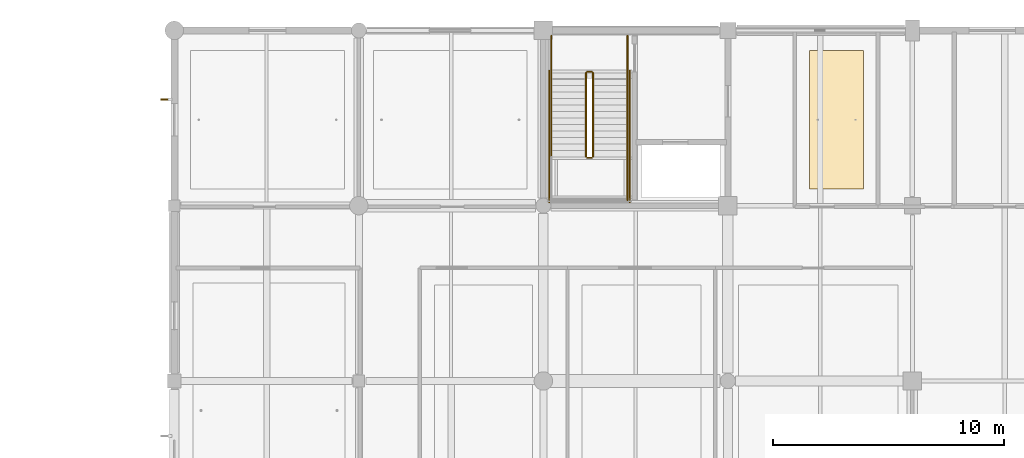
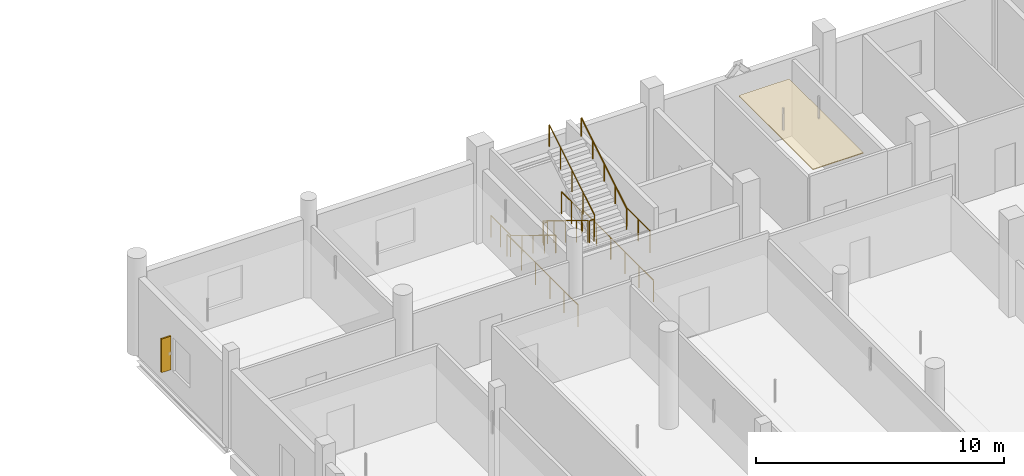
# One storey, part 146 of 147: 11 railings, 1 covering, 1 shading device.
"""IFC4 building model written with IfcOpenShell, lengths in metres."""

from ifc_helpers import new_model, si_unit, direction, frame, origin, origin_2d, place, context, subcontext, project, spatial, polyline, rectangle, circle, outline, extrude, material, layer, layer_set, type_object, element, save


model = new_model("IFC4")

# Units and contexts
model_context = context("Model", 3, precision=1e-05, world=origin(), true_north=direction((0.0, 1.0)))
body_context = subcontext(model_context, "Body", "Model", "MODEL_VIEW")
ifc_project = project(units=[si_unit("LENGTHUNIT", "METRE"), si_unit("AREAUNIT", "SQUARE_METRE"), si_unit("VOLUMEUNIT", "CUBIC_METRE"), si_unit("PLANEANGLEUNIT", "RADIAN"), si_unit("MASSUNIT", "GRAM", prefix="KILO")], contexts=[model_context])

# Site, building, storey
site_placement = place(None, origin())
site = spatial("IfcSite", under=ifc_project, at=site_placement, CompositionType="ELEMENT")
building_placement = place(site_placement, origin())
building = spatial("IfcBuilding", under=site, at=building_placement, Name="Khelvaren Railside Concert Hall", CompositionType="ELEMENT")
storey_placement = place(building_placement, frame((0.0, 0.0, 5.39990234375)))
storey = spatial("IfcBuildingStorey", under=building, at=storey_placement, Name="L01", CompositionType="ELEMENT", Elevation=5.39990234375)

# Covering
ifc_material_1 = material(Name="Mineral-wool acoustic baffle ceiling", Category="gypsum")
ifc_layer = layer(ifc_material_1, 0.0400390625)
ifc_layer_set = layer_set([ifc_layer], Name="Mineral-wool acoustic baffle ceiling")
covering_type = type_object("IfcCoveringType", Name="CLG20", PredefinedType="CEILING", material=ifc_layer_set)
covering_placement = place(storey_placement, frame((0.0, 0.0, 3.41015625)))
element("IfcCovering", 1, at=covering_placement, inside=storey, type_object=covering_type, Name="Suspended Acoustic Ceiling Backstage Linen Store L01", PredefinedType="CEILING", context=body_context, shape_type="SweptSolid", body=[
    extrude(outline(polyline([(155.530029296875, 107.1298828125), (157.8759765625, 107.1298828125), (157.8759765625, 113.1201171875), (155.530029296875, 113.1201171875), (155.530029296875, 107.1298828125)])), origin(), (0.0, 0.0, 1.0), 0.0400390625),
])

# Railings
ifc_material_2 = material(Name="Painted architectural steel", Category="steel")
railing_type_1 = type_object("IfcRailingType", Name="GRD86", PredefinedType="GUARDRAIL", material=ifc_material_2)
railing_1_placement = place(storey_placement, frame((145.85009765625, 112.159912109375, 0.171630859375)))
element("IfcRailing", 2, at=railing_1_placement, inside=storey, type_object=railing_type_1, Name="L01 ST-09 stair guard 1", PredefinedType="GUARDRAIL", context=body_context, shape_type="SweptSolid", body=[
    extrude(circle(Radius=0.02392578125, at=origin_2d()), frame((0.0, 0.0, 1.076171875), z_axis=(0.0, -0.852850264322, 0.5221555579), x_axis=(1.0, 0.0, 0.0)), (0.0, 0.0, 1.0), 4.267822265625),
    extrude(circle(Radius=0.02099609375, at=origin_2d()), origin(), (0.0, 0.0, 1.0), 1.052001953125),
    extrude(circle(Radius=0.02099609375, at=origin_2d()), frame((0.0, -0.909912109375, 0.55712890625)), (0.0, 0.0, 1.0), 1.052001953125),
    extrude(circle(Radius=0.02099609375, at=origin_2d()), frame((0.0, -1.81982421875, 1.1142578125)), (0.0, 0.0, 1.0), 1.052001953125),
    extrude(circle(Radius=0.02099609375, at=origin_2d()), frame((0.0, -2.72998046875, 1.67138671875)), (0.0, 0.0, 1.0), 1.052001953125),
    extrude(circle(Radius=0.02099609375, at=origin_2d()), frame((0.0, -3.639892578125, 2.228515625)), (0.0, 0.0, 1.0), 1.052001953125),
])
railing_2_placement = place(storey_placement, frame((145.89990234375, 108.469970703125, 2.400146484375)))
element("IfcRailing", 3, at=railing_2_placement, inside=storey, type_object=railing_type_1, Name="L01 ST-09 stair guard 2", PredefinedType="GUARDRAIL", context=body_context, shape_type="SweptSolid", body=[
    extrude(circle(Radius=0.02392578125, at=origin_2d()), frame((0.0, 0.0, 1.076171875), z_axis=(1.0, 0.0, 0.0), x_axis=(0.0, 1.0, 0.0)), (0.0, 0.0, 1.0), 0.2001953125),
    extrude(circle(Radius=0.02099609375, at=origin_2d()), origin(), (0.0, 0.0, 1.0), 1.052001953125),
    extrude(circle(Radius=0.02099609375, at=origin_2d()), frame((0.2001953125, 0.0, 0.0)), (0.0, 0.0, 1.0), 1.052001953125),
])
railing_3_placement = place(storey_placement, frame((147.64990234375, 108.52001953125, 2.400146484375)))
element("IfcRailing", 4, at=railing_3_placement, inside=storey, type_object=railing_type_1, Name="L01 ST-09 stair guard 4", PredefinedType="GUARDRAIL", context=body_context, shape_type="SweptSolid", body=[
    extrude(circle(Radius=0.02392578125, at=origin_2d()), frame((0.0, 0.0, 1.076171875), z_axis=(0.0, -1.0, 0.0), x_axis=(1.0, 0.0, 0.0)), (0.0, 0.0, 1.0), 1.880126953125),
    extrude(circle(Radius=0.02099609375, at=origin_2d()), origin(), (0.0, 0.0, 1.0), 1.052001953125),
    extrude(circle(Radius=0.02099609375, at=origin_2d()), frame((0.0, -0.93994140625, 0.0)), (0.0, 0.0, 1.0), 1.052001953125),
    extrude(circle(Radius=0.02099609375, at=origin_2d()), frame((0.0, -1.880126953125, 0.0)), (0.0, 0.0, 1.0), 1.052001953125),
])
railing_4_placement = place(storey_placement, frame((146.14990234375, 108.52001953125, 2.571533203125)))
element("IfcRailing", 5, at=railing_4_placement, inside=storey, type_object=railing_type_1, Name="L01 ST-09 stair guard 6", PredefinedType="GUARDRAIL", context=body_context, shape_type="SweptSolid", body=[
    extrude(circle(Radius=0.02392578125, at=origin_2d()), frame((0.0, 0.0, 1.076171875), z_axis=(0.0, 0.852850264322, 0.5221555579), x_axis=(-1.0, 0.0, 0.0)), (0.0, 0.0, 1.0), 4.267822265625),
    extrude(circle(Radius=0.02099609375, at=origin_2d()), origin(), (0.0, 0.0, 1.0), 1.052001953125),
    extrude(circle(Radius=0.02099609375, at=origin_2d()), frame((0.0, 0.909912109375, 0.55712890625)), (0.0, 0.0, 1.0), 1.052001953125),
    extrude(circle(Radius=0.02099609375, at=origin_2d()), frame((0.0, 1.81982421875, 1.1142578125)), (0.0, 0.0, 1.0), 1.052001953125),
    extrude(circle(Radius=0.02099609375, at=origin_2d()), frame((0.0, 2.72998046875, 1.67138671875)), (0.0, 0.0, 1.0), 1.052001953125),
    extrude(circle(Radius=0.02099609375, at=origin_2d()), frame((0.0, 3.639892578125, 2.228515625)), (0.0, 0.0, 1.0), 1.052001953125),
])
railing_5_placement = place(storey_placement, frame((145.89990234375, 112.2099609375, 0.0)))
element("IfcRailing", 6, at=railing_5_placement, inside=storey, type_object=railing_type_1, Name="L01 ST-09 stair guard 7", PredefinedType="GUARDRAIL", context=body_context, shape_type="SweptSolid", body=[
    extrude(circle(Radius=0.02392578125, at=origin_2d()), frame((0.0, 0.0, 1.076171875), z_axis=(1.0, 0.0, 0.0), x_axis=(0.0, 1.0, 0.0)), (0.0, 0.0, 1.0), 0.2001953125),
    extrude(circle(Radius=0.02099609375, at=origin_2d()), origin(), (0.0, 0.0, 1.0), 1.052001953125),
    extrude(circle(Radius=0.02099609375, at=origin_2d()), frame((0.2001953125, 0.0, 0.0)), (0.0, 0.0, 1.0), 1.052001953125),
])
for number, where, name in (
    (7, (144.35009765625, 113.760009765625, 0.0), "L01 ST-09 stair guard 8"),
    (8, (147.64990234375, 113.760009765625, 0.0), "L01 ST-09 stair guard 9"),
):
    element("IfcRailing", number, at=place(storey_placement, frame(where)), inside=storey, type_object=railing_type_1, Name=name, PredefinedType="GUARDRAIL", context=body_context, shape_type="SweptSolid", body=[
        extrude(circle(Radius=0.02392578125, at=origin_2d()), frame((0.0, 0.0, 1.076171875), z_axis=(0.0, -1.0, 0.0), x_axis=(1.0, 0.0, 0.0)), (0.0, 0.0, 1.0), 1.60009765625),
        extrude(circle(Radius=0.02099609375, at=origin_2d()), origin(), (0.0, 0.0, 1.0), 1.052001953125),
        extrude(circle(Radius=0.02099609375, at=origin_2d()), frame((0.0, -0.800048828125, 0.0)), (0.0, 0.0, 1.0), 1.052001953125),
        extrude(circle(Radius=0.02099609375, at=origin_2d()), frame((0.0, -1.60009765625, 0.0)), (0.0, 0.0, 1.0), 1.052001953125),
    ])
for number, where, name in (
    (9, (144.25, 112.260009765625, 0.0), "L01 ST-09 stair guard 10"),
    (10, (147.75, 112.260009765625, 0.0), "L01 ST-09 stair guard 11"),
):
    element("IfcRailing", number, at=place(storey_placement, frame(where)), inside=storey, type_object=railing_type_1, Name=name, PredefinedType="GUARDRAIL", context=body_context, shape_type="SweptSolid", body=[
        extrude(circle(Radius=0.02392578125, at=origin_2d()), frame((0.0, 0.0, 1.076171875), z_axis=(0.0, -1.0, 0.0), x_axis=(1.0, 0.0, 0.0)), (0.0, 0.0, 1.0), 5.719970703125),
        extrude(circle(Radius=0.02099609375, at=origin_2d()), origin(), (0.0, 0.0, 1.0), 1.052001953125),
        extrude(circle(Radius=0.02099609375, at=origin_2d()), frame((0.0, -1.14404296875, 0.0)), (0.0, 0.0, 1.0), 1.052001953125),
        extrude(circle(Radius=0.02099609375, at=origin_2d()), frame((0.0, -2.2880859375, 0.0)), (0.0, 0.0, 1.0), 1.052001953125),
        extrude(circle(Radius=0.02099609375, at=origin_2d()), frame((0.0, -3.431884765625, 0.0)), (0.0, 0.0, 1.0), 1.052001953125),
        extrude(circle(Radius=0.02099609375, at=origin_2d()), frame((0.0, -4.575927734375, 0.0)), (0.0, 0.0, 1.0), 1.052001953125),
        extrude(circle(Radius=0.02099609375, at=origin_2d()), frame((0.0, -5.719970703125, 0.0)), (0.0, 0.0, 1.0), 1.052001953125),
    ])
ifc_material_3 = material(Name="Brushed stainless steel Grade 316", Category="steel")
railing_type_2 = type_object("IfcRailingType", Name="HRL59", PredefinedType="HANDRAIL", material=ifc_material_3)
railing_6_placement = place(storey_placement, frame((144.35009765625, 112.159912109375, 0.171630859375)))
element("IfcRailing", 11, at=railing_6_placement, inside=storey, type_object=railing_type_2, Name="L01 ST-09 stair handrail 1", PredefinedType="HANDRAIL", context=body_context, shape_type="SweptSolid", body=[
    extrude(circle(Radius=0.02392578125, at=origin_2d()), frame((0.0, 0.0, 0.8759765625), z_axis=(0.0, -0.852850264322, 0.5221555579), x_axis=(1.0, 0.0, 0.0)), (0.0, 0.0, 1.0), 4.267822265625),
    extrude(circle(Radius=0.02099609375, at=origin_2d()), origin(), (0.0, 0.0, 1.0), 0.851806640625),
    extrude(circle(Radius=0.02099609375, at=origin_2d()), frame((0.0, -0.909912109375, 0.55712890625)), (0.0, 0.0, 1.0), 0.851806640625),
    extrude(circle(Radius=0.02099609375, at=origin_2d()), frame((0.0, -1.81982421875, 1.1142578125)), (0.0, 0.0, 1.0), 0.851806640625),
    extrude(circle(Radius=0.02099609375, at=origin_2d()), frame((0.0, -2.72998046875, 1.67138671875)), (0.0, 0.0, 1.0), 0.851806640625),
    extrude(circle(Radius=0.02099609375, at=origin_2d()), frame((0.0, -3.639892578125, 2.228515625)), (0.0, 0.0, 1.0), 0.851806640625),
])
railing_7_placement = place(storey_placement, frame((147.64990234375, 108.52001953125, 2.571533203125)))
element("IfcRailing", 12, at=railing_7_placement, inside=storey, type_object=railing_type_2, Name="L01 ST-09 stair handrail 2", PredefinedType="HANDRAIL", context=body_context, shape_type="SweptSolid", body=[
    extrude(circle(Radius=0.02392578125, at=origin_2d()), frame((0.0, 0.0, 0.8759765625), z_axis=(0.0, 0.852850264322, 0.5221555579), x_axis=(-1.0, 0.0, 0.0)), (0.0, 0.0, 1.0), 4.267822265625),
    extrude(circle(Radius=0.02099609375, at=origin_2d()), origin(), (0.0, 0.0, 1.0), 0.851806640625),
    extrude(circle(Radius=0.02099609375, at=origin_2d()), frame((0.0, 0.909912109375, 0.55712890625)), (0.0, 0.0, 1.0), 0.851806640625),
    extrude(circle(Radius=0.02099609375, at=origin_2d()), frame((0.0, 1.81982421875, 1.1142578125)), (0.0, 0.0, 1.0), 0.851806640625),
    extrude(circle(Radius=0.02099609375, at=origin_2d()), frame((0.0, 2.72998046875, 1.67138671875)), (0.0, 0.0, 1.0), 0.851806640625),
    extrude(circle(Radius=0.02099609375, at=origin_2d()), frame((0.0, 3.639892578125, 2.228515625)), (0.0, 0.0, 1.0), 0.851806640625),
])

# Shading device
ifc_material_4 = material(Name="Anodised bronze aluminium 6063-T6", Category="aluminium")
shading_device_type = type_object("IfcShadingDeviceType", Name="SFN18", PredefinedType="USERDEFINED", material=ifc_material_4)
shading_device_placement = place(storey_placement, frame((127.6298828125, 111.0048828125, 0.9501953125), z_axis=(0.0, 0.0, 1.0), x_axis=(0.0, 1.0, 0.0)))
element("IfcShadingDevice", 13, at=shading_device_placement, inside=storey, type_object=shading_device_type, Name="Bronze Solar Shading Fin EW-V5-L01-W-106", ObjectType="SOLAR FIN", PredefinedType="USERDEFINED", context=body_context, shape_type="SweptSolid", body=[
    extrude(rectangle(XDim=0.080078125, YDim=0.449951171875, at=origin_2d()), origin(), (0.0, 0.0, 1.0), 1.64990234375),
])

save(model, "model.ifc")
